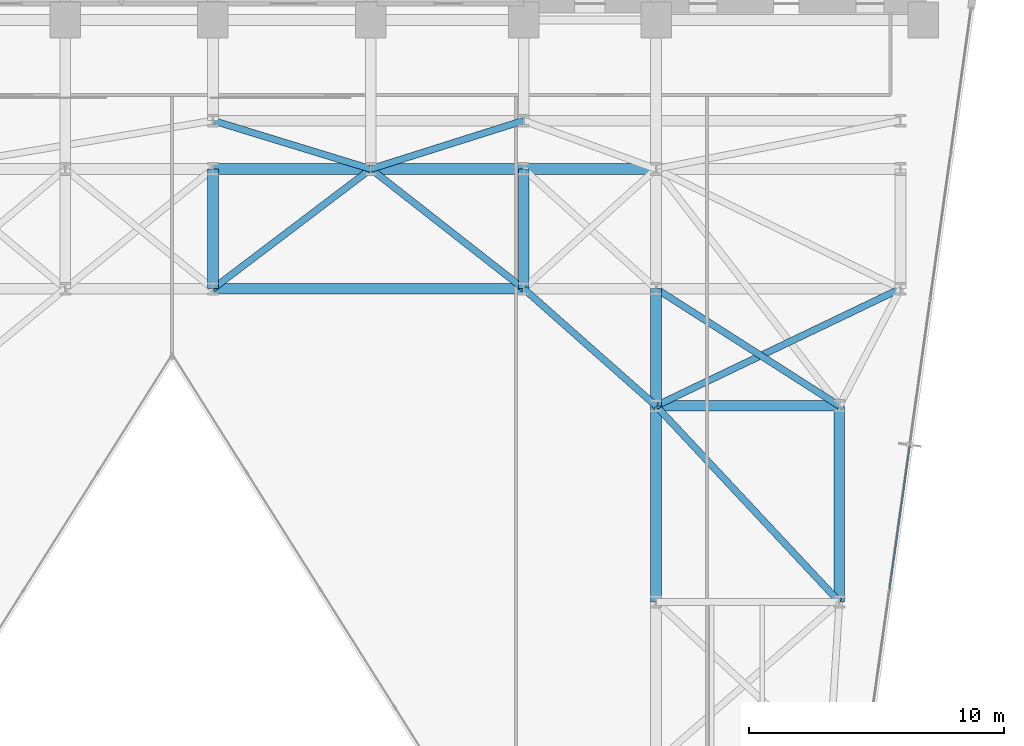
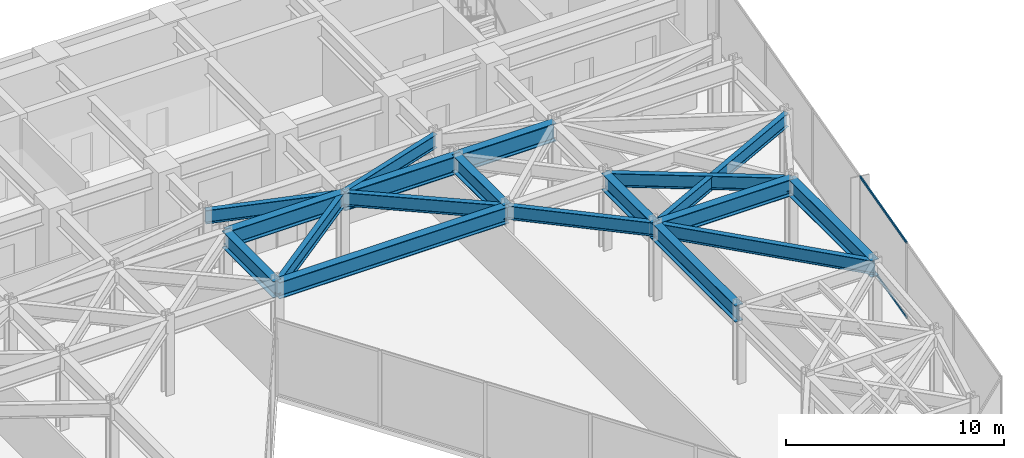
# One storey, part 16 of 28: 17 beams, 2 members, 1 element without a shape of its own.
"""IFC4 building model written with IfcOpenShell, lengths in metres."""

from ifc_helpers import new_model, si_unit, direction, frame, origin, origin_2d, place, context, subcontext, project, spatial, hollow_rectangle, i_section, extrude, material, layer, layer_set, material_profile, profile_set, type_object, element, aggregate, save


model = new_model("IFC4")

# Units and contexts
model_context = context("Model", 3, precision=1e-05, world=origin(), true_north=direction((0.0, 1.0)))
body_context = subcontext(model_context, "Body", "Model", "MODEL_VIEW")
ifc_project = project(units=[si_unit("LENGTHUNIT", "METRE"), si_unit("AREAUNIT", "SQUARE_METRE"), si_unit("VOLUMEUNIT", "CUBIC_METRE"), si_unit("PLANEANGLEUNIT", "RADIAN"), si_unit("MASSUNIT", "GRAM", prefix="KILO")], contexts=[model_context])

# Site, building, storey
site_placement = place(None, origin())
site = spatial("IfcSite", under=ifc_project, at=site_placement, CompositionType="ELEMENT")
building_placement = place(site_placement, origin())
building = spatial("IfcBuilding", under=site, at=building_placement, Name="Kravanh Interchange Tower", CompositionType="ELEMENT")
storey_placement = place(building_placement, frame((0.0, 0.0, 91.5)))
storey = spatial("IfcBuildingStorey", under=building, at=storey_placement, Name="L21", CompositionType="ELEMENT", Elevation=91.5)

# Curtain wall, members
ifc_material_1 = material(Name="Anodised Bronze Aluminium", Category="aluminium")
ifc_layer = layer(ifc_material_1, 0.179931640625)
ifc_layer_set = layer_set([ifc_layer], Name="Unitised Curtain Wall System CW-SKY Sky Observatory")
curtain_wall_type = type_object("IfcCurtainWallType", Name="Unitised Curtain Wall System CW-SKY Sky Observatory", PredefinedType="NOTDEFINED", material=ifc_layer_set)
curtain_wall_placement = place(storey_placement, origin())
curtain_wall = element("IfcCurtainWall", 1, at=curtain_wall_placement, inside=storey, type_object=curtain_wall_type, Name="L21 Unitised Curtain Wall CW-L21-02", PredefinedType="NOTDEFINED")
ifc_material_2 = material(Name="Anodised Bronze Aluminium", Category="aluminium")
ifc_material_profile_1 = material_profile(ifc_material_2, hollow_rectangle(XDim=0.06005859375, YDim=0.139892578125, WallThickness=0.00390625, at=origin_2d()), Name="ALU60X140X4")
ifc_profile_set_1 = profile_set([ifc_material_profile_1], Name="Anodised Bronze Aluminium")
member_type = type_object("IfcMemberType", Name="Curtain Wall Transom ALU60X140X4 Bronze", PredefinedType="USERDEFINED", material=ifc_profile_set_1)
member_1_placement = place(storey_placement, frame((65.96240234375, 20.6337890625, 0.030029296875), z_axis=(-0.139153051789, -0.990270886262, 0.0), x_axis=(0.990270886262, -0.139153051789, 0.0)))
member_1 = element("IfcMember", 2, at=member_1_placement, type_object=member_type, Name="CW-SKY transom 4.1", ObjectType="TRANSOM", PredefinedType="USERDEFINED", context=body_context, shape_type="SweptSolid", body=[
    extrude(hollow_rectangle(XDim=0.06005859375, YDim=0.139892578125, WallThickness=0.00390625, at=origin_2d()), origin(), (0.0, 0.0, 1.0), 5.69677734375),
])
member_2_placement = place(storey_placement, frame((65.96240234375, 20.6337890625, 4.219970703125), z_axis=(-0.139153051789, -0.990270886262, 0.0), x_axis=(0.990270886262, -0.139153051789, 0.0)))
member_2 = element("IfcMember", 3, at=member_2_placement, type_object=member_type, Name="CW-SKY transom 4.2", ObjectType="TRANSOM", PredefinedType="USERDEFINED", context=body_context, shape_type="SweptSolid", body=[
    extrude(hollow_rectangle(XDim=0.06005859375, YDim=0.139892578125, WallThickness=0.00390625, at=origin_2d()), origin(), (0.0, 0.0, 1.0), 5.69677734375),
])
aggregate(curtain_wall, [member_1, member_2])

# Beams
ifc_material_3 = material(Name="Structural Steel S355", Category="steel")
ifc_material_profile_2 = material_profile(ifc_material_3, i_section(OverallWidth=0.41796875, OverallDepth=0.927001953125, WebThickness=0.019287109375, FlangeThickness=0.031982421875, FilletRadius=0.028076171875, at=origin_2d()), Name="W36X231")
ifc_profile_set_2 = profile_set([ifc_material_profile_2], Name="Structural Steel S355")
beam_type_1 = type_object("IfcBeamType", Name="Floor Beam W36X231 Structural Steel S355", PredefinedType="BEAM", material=ifc_profile_set_2)
for number, where, z_axis, x_axis, name in (
    (4, (56.0, 14.5, 3.78662109375), (0.0, 1.0, 0.0), (-1.0, 0.0, 0.0), "L21 Primary Floor Girder 44"),
    (5, (63.199951171875, 14.5, 3.78662109375), (0.0, 1.0, 0.0), (-1.0, 0.0, 0.0), "L21 Primary Floor Girder 47"),
):
    element("IfcBeam", number, at=place(storey_placement, frame(where, z_axis=z_axis, x_axis=x_axis)), inside=storey, type_object=beam_type_1, Name=name, PredefinedType="BEAM", context=body_context, shape_type="SweptSolid", body=[
        extrude(i_section(OverallWidth=0.41796875, OverallDepth=0.927001953125, WebThickness=0.019287109375, FlangeThickness=0.031982421875, FilletRadius=0.028076171875, at=origin_2d()), origin(), (0.0, 0.0, 1.0), 7.699951171875),
    ])
beam_1_placement = place(storey_placement, frame((56.0, 22.199951171875, 3.78662109375), z_axis=(0.0, 1.0, 0.0), x_axis=(-1.0, 0.0, 0.0)))
element("IfcBeam", 6, at=beam_1_placement, inside=storey, type_object=beam_type_1, Name="L21 Primary Floor Girder 58", PredefinedType="BEAM", context=body_context, shape_type="SweptSolid", body=[
    extrude(i_section(OverallWidth=0.41796875, OverallDepth=0.927001953125, WebThickness=0.019287109375, FlangeThickness=0.031982421875, FilletRadius=0.028076171875, at=origin_2d()), origin(), (0.0, 0.0, 1.0), 4.60009765625),
])
beam_2_placement = place(storey_placement, frame((56.0, 22.199951171875, 3.78662109375), z_axis=(1.0, 0.0, 0.0), x_axis=(0.0, 1.0, 0.0)))
element("IfcBeam", 7, at=beam_2_placement, inside=storey, type_object=beam_type_1, Name="L21 Primary Floor Girder 60", PredefinedType="BEAM", context=body_context, shape_type="SweptSolid", body=[
    extrude(i_section(OverallWidth=0.41796875, OverallDepth=0.927001953125, WebThickness=0.019287109375, FlangeThickness=0.031982421875, FilletRadius=0.028076171875, at=origin_2d()), origin(), (0.0, 0.0, 1.0), 7.199951171875),
])
beam_3_placement = place(storey_placement, frame((38.60009765625, 26.800048828125, 3.78662109375), z_axis=(0.0, 1.0, 0.0), x_axis=(-1.0, 0.0, 0.0)))
element("IfcBeam", 8, at=beam_3_placement, inside=storey, type_object=beam_type_1, Name="L21 Primary Floor Girder 86", PredefinedType="BEAM", context=body_context, shape_type="SweptSolid", body=[
    extrude(i_section(OverallWidth=0.41796875, OverallDepth=0.927001953125, WebThickness=0.019287109375, FlangeThickness=0.031982421875, FilletRadius=0.028076171875, at=origin_2d()), origin(), (0.0, 0.0, 1.0), 4.699951171875),
])
beam_4_placement = place(storey_placement, frame((38.60009765625, 26.800048828125, 3.78662109375), z_axis=(1.0, 0.0, 0.0), x_axis=(0.0, 1.0, 0.0)))
element("IfcBeam", 9, at=beam_4_placement, inside=storey, type_object=beam_type_1, Name="L21 Primary Floor Girder 89", PredefinedType="BEAM", context=body_context, shape_type="SweptSolid", body=[
    extrude(i_section(OverallWidth=0.41796875, OverallDepth=0.927001953125, WebThickness=0.019287109375, FlangeThickness=0.031982421875, FilletRadius=0.028076171875, at=origin_2d()), origin(), (0.0, 0.0, 1.0), 12.199951171875),
])
beam_5_placement = place(storey_placement, frame((50.800048828125, 26.800048828125, 3.78662109375), z_axis=(0.0, 1.0, 0.0), x_axis=(-1.0, 0.0, 0.0)))
element("IfcBeam", 10, at=beam_5_placement, inside=storey, type_object=beam_type_1, Name="L21 Primary Floor Girder 90", PredefinedType="BEAM", context=body_context, shape_type="SweptSolid", body=[
    extrude(i_section(OverallWidth=0.41796875, OverallDepth=0.927001953125, WebThickness=0.019287109375, FlangeThickness=0.031982421875, FilletRadius=0.028076171875, at=origin_2d()), origin(), (0.0, 0.0, 1.0), 4.699951171875),
])
beam_6_placement = place(storey_placement, frame((38.60009765625, 31.5, 3.78662109375), z_axis=(1.0, 0.0, 0.0), x_axis=(0.0, 1.0, 0.0)))
element("IfcBeam", 11, at=beam_6_placement, inside=storey, type_object=beam_type_1, Name="L21 Primary Floor Girder 111", PredefinedType="BEAM", context=body_context, shape_type="SweptSolid", body=[
    extrude(i_section(OverallWidth=0.41796875, OverallDepth=0.927001953125, WebThickness=0.019287109375, FlangeThickness=0.031982421875, FilletRadius=0.028076171875, at=origin_2d()), origin(), (0.0, 0.0, 1.0), 6.199951171875),
])
ifc_material_4 = material(Name="Structural Steel S355", Category="steel")
ifc_material_profile_3 = material_profile(ifc_material_4, i_section(OverallWidth=0.26708984375, OverallDepth=0.761962890625, WebThickness=0.014404296875, FlangeThickness=0.021484375, FilletRadius=0.02490234375, at=origin_2d()), Name="W30X116")
ifc_profile_set_3 = profile_set([ifc_material_profile_3], Name="Structural Steel S355")
beam_type_2 = type_object("IfcBeamType", Name="Floor Spandrel W30X116 Structural Steel S355", PredefinedType="SPANDREL", material=ifc_profile_set_3)
beam_7_placement = place(storey_placement, frame((63.199951171875, 14.5, 3.868896484375), z_axis=(-0.682993762113, 0.73042420614, 0.0), x_axis=(-0.73042420614, -0.682993762113, 0.0)))
element("IfcBeam", 12, at=beam_7_placement, inside=storey, type_object=beam_type_2, Name="L21 Perimeter Spandrel 49", PredefinedType="SPANDREL", context=body_context, shape_type="SweptSolid", body=[
    extrude(i_section(OverallWidth=0.26708984375, OverallDepth=0.761962890625, WebThickness=0.014404296875, FlangeThickness=0.021484375, FilletRadius=0.02490234375, at=origin_2d()), origin(), (0.0, 0.0, 1.0), 10.541748046875),
])
beam_8_placement = place(storey_placement, frame((56.0, 22.199951171875, 3.868896484375), z_axis=(-0.74898649432, 0.662585263439, 0.0), x_axis=(-0.662585263439, -0.74898649432, 0.0)))
element("IfcBeam", 13, at=beam_8_placement, inside=storey, type_object=beam_type_2, Name="L21 Perimeter Spandrel 59", PredefinedType="SPANDREL", context=body_context, shape_type="SweptSolid", body=[
    extrude(i_section(OverallWidth=0.26708984375, OverallDepth=0.761962890625, WebThickness=0.014404296875, FlangeThickness=0.021484375, FilletRadius=0.02490234375, at=origin_2d()), origin(), (0.0, 0.0, 1.0), 6.942626953125),
])
beam_9_placement = place(storey_placement, frame((56.0, 22.199951171875, 3.868896484375), z_axis=(0.901814166789, 0.432124066188, 0.0), x_axis=(-0.432124066188, 0.901814166789, 0.0)))
element("IfcBeam", 14, at=beam_9_placement, inside=storey, type_object=beam_type_2, Name="L21 Perimeter Spandrel 61", PredefinedType="SPANDREL", context=body_context, shape_type="SweptSolid", body=[
    extrude(i_section(OverallWidth=0.26708984375, OverallDepth=0.761962890625, WebThickness=0.014404296875, FlangeThickness=0.021484375, FilletRadius=0.02490234375, at=origin_2d()), origin(), (0.0, 0.0, 1.0), 10.645263671875),
])
beam_10_placement = place(storey_placement, frame((63.199951171875, 22.199951171875, 3.868896484375), z_axis=(-0.842689417531, 0.53839998661, 0.0), x_axis=(-0.53839998661, -0.842689417531, 0.0)))
element("IfcBeam", 15, at=beam_10_placement, inside=storey, type_object=beam_type_2, Name="L21 Perimeter Spandrel 63", PredefinedType="SPANDREL", context=body_context, shape_type="SweptSolid", body=[
    extrude(i_section(OverallWidth=0.26708984375, OverallDepth=0.761962890625, WebThickness=0.014404296875, FlangeThickness=0.021484375, FilletRadius=0.02490234375, at=origin_2d()), origin(), (0.0, 0.0, 1.0), 8.5439453125),
])
beam_11_placement = place(storey_placement, frame((38.60009765625, 26.800048828125, 3.868896484375), z_axis=(0.796905365509, 0.604104161898, 0.0), x_axis=(-0.604104161898, 0.796905365509, 0.0)))
element("IfcBeam", 16, at=beam_11_placement, inside=storey, type_object=beam_type_2, Name="L21 Perimeter Spandrel 88", PredefinedType="SPANDREL", context=body_context, shape_type="SweptSolid", body=[
    extrude(i_section(OverallWidth=0.26708984375, OverallDepth=0.761962890625, WebThickness=0.014404296875, FlangeThickness=0.021484375, FilletRadius=0.02490234375, at=origin_2d()), origin(), (0.0, 0.0, 1.0), 7.780029296875),
])
beam_12_placement = place(storey_placement, frame((50.800048828125, 26.800048828125, 3.868896484375), z_axis=(-0.787231163579, 0.616658004967, 0.0), x_axis=(-0.616658004967, -0.787231163579, 0.0)))
element("IfcBeam", 17, at=beam_12_placement, inside=storey, type_object=beam_type_2, Name="L21 Perimeter Spandrel 93", PredefinedType="SPANDREL", context=body_context, shape_type="SweptSolid", body=[
    extrude(i_section(OverallWidth=0.26708984375, OverallDepth=0.761962890625, WebThickness=0.014404296875, FlangeThickness=0.021484375, FilletRadius=0.02490234375, at=origin_2d()), origin(), (0.0, 0.0, 1.0), 7.62158203125),
])
beam_13_placement = place(storey_placement, frame((44.800048828125, 31.5, 3.868896484375), z_axis=(0.953346691051, 0.301877602122, 0.0), x_axis=(-0.301877602122, 0.953346691051, 0.0)))
element("IfcBeam", 18, at=beam_13_placement, inside=storey, type_object=beam_type_2, Name="L21 Perimeter Spandrel 114", PredefinedType="SPANDREL", context=body_context, shape_type="SweptSolid", body=[
    extrude(i_section(OverallWidth=0.26708984375, OverallDepth=0.761962890625, WebThickness=0.014404296875, FlangeThickness=0.021484375, FilletRadius=0.02490234375, at=origin_2d()), origin(), (0.0, 0.0, 1.0), 6.293701171875),
])
beam_14_placement = place(storey_placement, frame((44.800048828125, 31.5, 3.868896484375), z_axis=(-0.956115397264, 0.292990353279, 0.0), x_axis=(-0.292990353279, -0.956115397264, 0.0)))
element("IfcBeam", 19, at=beam_14_placement, inside=storey, type_object=beam_type_2, Name="L21 Perimeter Spandrel 115", PredefinedType="SPANDREL", context=body_context, shape_type="SweptSolid", body=[
    extrude(i_section(OverallWidth=0.26708984375, OverallDepth=0.761962890625, WebThickness=0.014404296875, FlangeThickness=0.021484375, FilletRadius=0.02490234375, at=origin_2d()), origin(), (0.0, 0.0, 1.0), 6.484619140625),
])
ifc_material_5 = material(Name="Structural Steel S450", Category="steel")
ifc_material_profile_4 = material_profile(ifc_material_5, i_section(OverallWidth=0.4140625, OverallDepth=1.010986328125, WebThickness=0.023681640625, FlangeThickness=0.0419921875, FilletRadius=0.030029296875, at=origin_2d()), Name="W40X297")
ifc_profile_set_4 = profile_set([ifc_material_profile_4], Name="Structural Steel S450")
beam_type_3 = type_object("IfcBeamType", Name="Transfer Girder W40X297 Structural Steel S450", PredefinedType="BEAM", material=ifc_profile_set_4)
beam_15_placement = place(storey_placement, frame((44.800048828125, 31.5, 3.744384765625), z_axis=(1.0, 0.0, 0.0), x_axis=(0.0, 1.0, 0.0)))
element("IfcBeam", 20, at=beam_15_placement, inside=storey, type_object=beam_type_3, Name="L21 STEEL TRANSFER GIRDER 2", PredefinedType="BEAM", context=body_context, shape_type="SweptSolid", body=[
    extrude(i_section(OverallWidth=0.4140625, OverallDepth=1.010986328125, WebThickness=0.023681640625, FlangeThickness=0.0419921875, FilletRadius=0.030029296875, at=origin_2d()), origin(), (0.0, 0.0, 1.0), 11.199951171875),
])

save(model, "model.ifc")
